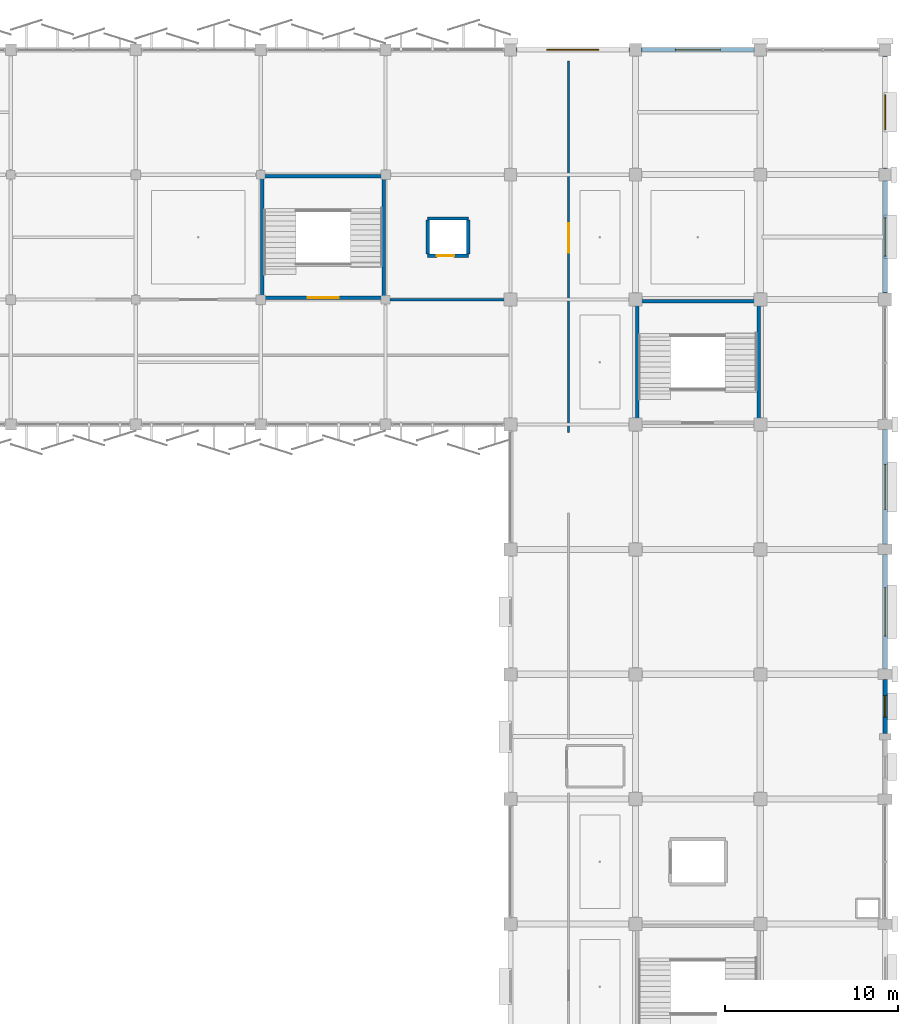
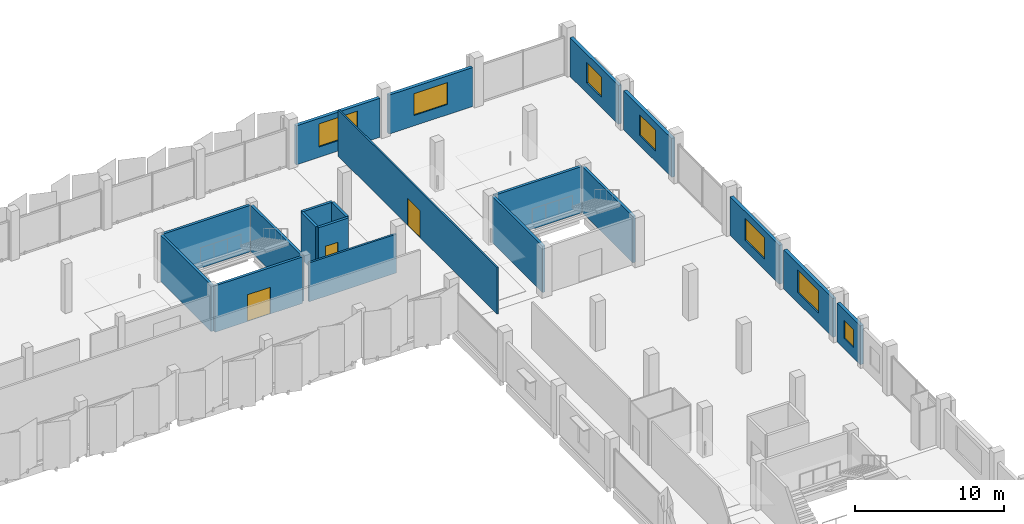
# One storey, part 87 of 108: 20 walls, 7 windows, 3 doors, 10 openings.
"""IFC4 building model written with IfcOpenShell, lengths in metres."""

from ifc_helpers import new_model, si_unit, direction, frame, frame_2d, origin, place, context, subcontext, project, spatial, rectangle, extrude, material, layer, layer_set, type_object, element, fill, save


model = new_model("IFC4")

# Units and contexts
model_context = context("Model", 3, precision=1e-05, world=origin(), true_north=direction((0.0, 1.0)))
body_context = subcontext(model_context, "Body", "Model", "MODEL_VIEW")
ifc_project = project(units=[si_unit("LENGTHUNIT", "METRE"), si_unit("AREAUNIT", "SQUARE_METRE"), si_unit("VOLUMEUNIT", "CUBIC_METRE"), si_unit("PLANEANGLEUNIT", "RADIAN"), si_unit("MASSUNIT", "GRAM", prefix="KILO")], contexts=[model_context])

# Site, building, storey
site_placement = place(None, origin())
site = spatial("IfcSite", under=ifc_project, at=site_placement, CompositionType="ELEMENT")
building_placement = place(site_placement, origin())
building = spatial("IfcBuilding", under=site, at=building_placement, Name="Kangsadwip Square Police Headquarters", CompositionType="ELEMENT")
storey_placement = place(building_placement, frame((0.0, 0.0, 9.449951171875)))
storey = spatial("IfcBuildingStorey", under=building, at=storey_placement, Name="L02", CompositionType="ELEMENT", Elevation=9.449951171875)

# Wall, opening, door
ifc_material_1 = material(Name="Fire-rated double gypsum board acoustic stud partition", Category="masonry")
ifc_layer_1 = layer(ifc_material_1, 0.1201171875)
ifc_layer_set_1 = layer_set([ifc_layer_1], Name="Fire-rated double gypsum board acoustic stud partition")
wall_type_1 = type_object("IfcWallType", Name="AcousticPartition120", PredefinedType="PARTITIONING", material=ifc_layer_set_1)
wall_1_placement = place(storey_placement, frame((147.35009765625, 93.14990234375, 0.0), z_axis=(0.0, 0.0, 1.0), x_axis=(0.0, 1.0, 0.0)))
wall_1 = element("IfcWall", 1, at=wall_1_placement, inside=storey, type_object=wall_type_1, Name="Interior Wall WI-L02-0778", PredefinedType="PARTITIONING", context=body_context, shape_type="SweptSolid", body=[
    extrude(rectangle(XDim=21.400146484375, YDim=0.1201171875, at=frame_2d((10.7001953125, 0.0))), origin(), (0.0, 0.0, 1.0), 3.81005859375),
])
opening_1_placement = place(wall_1_placement, frame((10.35498046875, 0.0, 0.0)))
opening_1 = element("IfcOpeningElement", 2, at=opening_1_placement, cuts=wall_1, Name="Opening ID-17", PredefinedType="OPENING", context=body_context, shape_type="SweptSolid", body=[
    extrude(rectangle(XDim=1.699951171875, YDim=2.199951171875, at=frame_2d((0.85009765625, 1.10009765625))), frame((0.0, 0.070068359375, 0.0), z_axis=(0.0, -1.0, 0.0), x_axis=(1.0, 0.0, 0.0)), (0.0, 0.0, 1.0), 0.14013671875),
])
ifc_material_2 = material(Name="Insulated galvanized steel fire-rated door assembly", Category="steel")
door_type_1 = type_object("IfcDoorType", Name="LabDoubleDoor1700x2200", OperationType="DOUBLE_DOOR_SINGLE_SWING", PredefinedType="DOOR", material=ifc_material_2)
door_1_placement = place(opening_1_placement, origin())
door_1 = element("IfcDoor", 3, at=door_1_placement, inside=storey, type_object=door_type_1, Name="Interior Door ID-L02-0190", OperationType="DOUBLE_DOOR_SINGLE_SWING", OverallHeight=2.199951171875, OverallWidth=1.699951171875, PredefinedType="DOOR", context=body_context, shape_type="SweptSolid", body=[
    extrude(rectangle(XDim=1.699951171875, YDim=2.199951171875, at=frame_2d((0.85009765625, 1.10009765625))), frame((0.0, 0.02490234375, 0.0), z_axis=(0.0, -1.0, 0.0), x_axis=(1.0, 0.0, 0.0)), (0.0, 0.0, 1.0), 0.050048828125),
])
fill(opening_1, door_1)

# Wall
ifc_material_3 = material(Name="Autoclaved aerated concrete blockwork masonry", Category="masonry")
ifc_layer_2 = layer(ifc_material_3, 0.14990234375)
ifc_layer_set_2 = layer_set([ifc_layer_2], Name="Autoclaved aerated concrete blockwork masonry")
wall_type_2 = type_object("IfcWallType", Name="BlockPartition150", PredefinedType="PARTITIONING", material=ifc_layer_set_2)
wall_2_placement = place(storey_placement, frame((137.050048828125, 100.800048828125, 0.0), z_axis=(0.0, 0.0, 1.0), x_axis=(1.0, 0.0, 0.0)))
element("IfcWall", 4, at=wall_2_placement, inside=storey, type_object=wall_type_2, Name="Interior Wall WI-L02-0776", PredefinedType="PARTITIONING", context=body_context, shape_type="SweptSolid", body=[
    extrude(rectangle(XDim=6.800048828125, YDim=0.14990234375, at=frame_2d((3.39990234375, 0.0))), origin(), (0.0, 0.0, 1.0), 3.199951171875),
])

# Wall, opening, window
ifc_material_4 = material(Name="Glazed architectural terracotta masonry rainscreen", Category="masonry")
ifc_layer_3 = layer(ifc_material_4, 0.25)
ifc_layer_set_3 = layer_set([ifc_layer_3], Name="Glazed architectural terracotta masonry rainscreen")
wall_type_3 = type_object("IfcWallType", Name="ChicagoTerracottaWall250", PredefinedType="SOLIDWALL", material=ifc_layer_set_3)
wall_3_placement = place(storey_placement, frame((144.344970703125, 115.199951171875, 0.0), z_axis=(0.0, 0.0, 1.0), x_axis=(1.0, 0.0, 0.0)))
wall_3 = element("IfcWall", 5, at=wall_3_placement, inside=storey, type_object=wall_type_3, Name="Exterior Wall WE-L02-314", PredefinedType="SOLIDWALL", context=body_context, shape_type="SweptSolid", body=[
    extrude(rectangle(XDim=6.510009765625, YDim=0.25, at=frame_2d((3.2548828125, 0.0))), origin(), (0.0, 0.0, 1.0), 3.195068359375),
])
opening_2_placement = place(wall_3_placement, frame((1.7548828125, 0.0, 0.85009765625)))
opening_2 = element("IfcOpeningElement", 6, at=opening_2_placement, cuts=wall_3, Name="Opening WN-04", PredefinedType="OPENING", context=body_context, shape_type="SweptSolid", body=[
    extrude(rectangle(XDim=3.0, YDim=1.89990234375, at=frame_2d((1.5, 0.949951171875))), frame((0.0, 0.135009765625, 0.0), z_axis=(0.0, -1.0, 0.0), x_axis=(1.0, 0.0, 0.0)), (0.0, 0.0, 1.0), 0.27001953125),
])
ifc_material_5 = material(Name="Double-glazed solar-control low-E safety glass", Category="glass")
window_type_1 = type_object("IfcWindowType", Name="ChicagoTripartiteWin3000x1900", PartitioningType="TRIPLE_PANEL_HORIZONTAL", PredefinedType="WINDOW", material=ifc_material_5)
window_1_placement = place(opening_2_placement, origin())
window_1 = element("IfcWindow", 7, at=window_1_placement, inside=storey, type_object=window_type_1, Name="Window WN-L02-0167", OverallHeight=1.89990234375, OverallWidth=3.0, PartitioningType="SINGLE_PANEL", PredefinedType="WINDOW", context=body_context, shape_type="SweptSolid", body=[
    extrude(rectangle(XDim=3.0, YDim=1.89990234375, at=frame_2d((1.5, 0.949951171875))), frame((0.0, 0.030029296875, 0.0), z_axis=(0.0, -1.0, 0.0), x_axis=(1.0, 0.0, 0.0)), (0.0, 0.0, 1.0), 0.06005859375),
])
fill(opening_2, window_1)

wall_4_placement = place(storey_placement, frame((151.544921875, 115.199951171875, 0.0), z_axis=(0.0, 0.0, 1.0), x_axis=(1.0, 0.0, 0.0)))
wall_4 = element("IfcWall", 8, at=wall_4_placement, inside=storey, type_object=wall_type_3, Name="Exterior Wall WE-L02-315", PredefinedType="SOLIDWALL", context=body_context, shape_type="SweptSolid", body=[
    extrude(rectangle(XDim=6.510009765625, YDim=0.25, at=frame_2d((3.2548828125, 0.0))), origin(), (0.0, 0.0, 1.0), 3.195068359375),
])
opening_3_placement = place(wall_4_placement, frame((1.955078125, 0.0, 0.85009765625)))
opening_3 = element("IfcOpeningElement", 9, at=opening_3_placement, cuts=wall_4, Name="Opening WN-06", PredefinedType="OPENING", context=body_context, shape_type="SweptSolid", body=[
    extrude(rectangle(XDim=2.60009765625, YDim=1.800048828125, at=frame_2d((1.300048828125, 0.89990234375))), frame((0.0, 0.135009765625, 0.0), z_axis=(0.0, -1.0, 0.0), x_axis=(1.0, 0.0, 0.0)), (0.0, 0.0, 1.0), 0.27001953125),
])
ifc_material_6 = material(Name="Double-glazed solar-control low-E safety glass", Category="glass")
window_type_2 = type_object("IfcWindowType", Name="ChicagoDoubleMullWin2600x1800", PartitioningType="DOUBLE_PANEL_VERTICAL", PredefinedType="WINDOW", material=ifc_material_6)
window_2_placement = place(opening_3_placement, origin())
window_2 = element("IfcWindow", 10, at=window_2_placement, inside=storey, type_object=window_type_2, Name="Window WN-L02-0168", OverallHeight=1.800048828125, OverallWidth=2.60009765625, PartitioningType="SINGLE_PANEL", PredefinedType="WINDOW", context=body_context, shape_type="SweptSolid", body=[
    extrude(rectangle(XDim=2.60009765625, YDim=1.800048828125, at=frame_2d((1.300048828125, 0.89990234375))), frame((0.0, 0.030029296875, 0.0), z_axis=(0.0, -1.0, 0.0), x_axis=(1.0, 0.0, 0.0)), (0.0, 0.0, 1.0), 0.06005859375),
])
fill(opening_3, window_2)

wall_5_placement = place(storey_placement, frame((165.60009765625, 75.794921875, 0.0), z_axis=(0.0, 0.0, 1.0), x_axis=(0.0, 1.0, 0.0)))
wall_5 = element("IfcWall", 11, at=wall_5_placement, inside=storey, type_object=wall_type_3, Name="Exterior Wall WE-L02-357", PredefinedType="SOLIDWALL", context=body_context, shape_type="SweptSolid", body=[
    extrude(rectangle(XDim=3.110107421875, YDim=0.25, at=frame_2d((1.55517578125, 0.0))), origin(), (0.0, 0.0, 1.0), 3.195068359375),
])
opening_4_placement = place(wall_5_placement, frame((0.929931640625, 0.0, 0.85009765625)))
opening_4 = element("IfcOpeningElement", 12, at=opening_4_placement, cuts=wall_5, Name="Opening WN-14", PredefinedType="OPENING", context=body_context, shape_type="SweptSolid", body=[
    extrude(rectangle(XDim=1.25, YDim=1.5, at=frame_2d((0.625, 0.75))), frame((0.0, 0.135009765625, 0.0), z_axis=(0.0, -1.0, 0.0), x_axis=(1.0, 0.0, 0.0)), (0.0, 0.0, 1.0), 0.27001953125),
])
ifc_material_7 = material(Name="Double-glazed solar-control low-E safety glass", Category="glass")
window_type_3 = type_object("IfcWindowType", Name="OfficeCasementWin1250x1500", PartitioningType="SINGLE_PANEL", PredefinedType="WINDOW", material=ifc_material_7)
window_3_placement = place(opening_4_placement, origin())
window_3 = element("IfcWindow", 13, at=window_3_placement, inside=storey, type_object=window_type_3, Name="Window WN-L02-0210", OverallHeight=1.5, OverallWidth=1.25, PartitioningType="SINGLE_PANEL", PredefinedType="WINDOW", context=body_context, shape_type="SweptSolid", body=[
    extrude(rectangle(XDim=1.25, YDim=1.5, at=frame_2d((0.625, 0.75))), frame((0.0, 0.030029296875, 0.0), z_axis=(0.0, -1.0, 0.0), x_axis=(1.0, 0.0, 0.0)), (0.0, 0.0, 1.0), 0.06005859375),
])
fill(opening_4, window_3)

wall_6_placement = place(storey_placement, frame((165.60009765625, 79.4951171875, 0.0), z_axis=(0.0, 0.0, 1.0), x_axis=(0.0, 1.0, 0.0)))
wall_6 = element("IfcWall", 14, at=wall_6_placement, inside=storey, type_object=wall_type_3, Name="Exterior Wall WE-L02-358", PredefinedType="SOLIDWALL", context=body_context, shape_type="SweptSolid", body=[
    extrude(rectangle(XDim=6.60986328125, YDim=0.25, at=frame_2d((3.304931640625, 0.0))), origin(), (0.0, 0.0, 1.0), 3.195068359375),
])
opening_5_placement = place(wall_6_placement, frame((1.905029296875, 0.0, 0.85009765625)))
opening_5 = element("IfcOpeningElement", 15, at=opening_5_placement, cuts=wall_6, Name="Opening WN-05", PredefinedType="OPENING", context=body_context, shape_type="SweptSolid", body=[
    extrude(rectangle(XDim=2.800048828125, YDim=1.85009765625, at=frame_2d((1.39990234375, 0.925048828125))), frame((0.0, 0.135009765625, 0.0), z_axis=(0.0, -1.0, 0.0), x_axis=(1.0, 0.0, 0.0)), (0.0, 0.0, 1.0), 0.27001953125),
])
ifc_material_8 = material(Name="Double-glazed solar-control low-E safety glass", Category="glass")
window_type_4 = type_object("IfcWindowType", Name="ChicagoDoubleMullWin2800x1850", PartitioningType="DOUBLE_PANEL_VERTICAL", PredefinedType="WINDOW", material=ifc_material_8)
window_4_placement = place(opening_5_placement, origin())
window_4 = element("IfcWindow", 16, at=window_4_placement, inside=storey, type_object=window_type_4, Name="Window WN-L02-0211", OverallHeight=1.85009765625, OverallWidth=2.800048828125, PartitioningType="SINGLE_PANEL", PredefinedType="WINDOW", context=body_context, shape_type="SweptSolid", body=[
    extrude(rectangle(XDim=2.800048828125, YDim=1.85009765625, at=frame_2d((1.39990234375, 0.925048828125))), frame((0.0, 0.030029296875, 0.0), z_axis=(0.0, -1.0, 0.0), x_axis=(1.0, 0.0, 0.0)), (0.0, 0.0, 1.0), 0.06005859375),
])
fill(opening_5, window_4)

wall_7_placement = place(storey_placement, frame((165.60009765625, 86.695068359375, 0.0), z_axis=(0.0, 0.0, 1.0), x_axis=(0.0, 1.0, 0.0)))
wall_7 = element("IfcWall", 17, at=wall_7_placement, inside=storey, type_object=wall_type_3, Name="Exterior Wall WE-L02-359", PredefinedType="SOLIDWALL", context=body_context, shape_type="SweptSolid", body=[
    extrude(rectangle(XDim=6.60986328125, YDim=0.25, at=frame_2d((3.304931640625, 0.0))), origin(), (0.0, 0.0, 1.0), 3.195068359375),
])
opening_6_placement = place(wall_7_placement, frame((2.0048828125, 0.0, 0.85009765625)))
opening_6 = element("IfcOpeningElement", 18, at=opening_6_placement, cuts=wall_7, Name="Opening WN-06", PredefinedType="OPENING", context=body_context, shape_type="SweptSolid", body=[
    extrude(rectangle(XDim=2.60009765625, YDim=1.800048828125, at=frame_2d((1.300048828125, 0.89990234375))), frame((0.0, 0.135009765625, 0.0), z_axis=(0.0, -1.0, 0.0), x_axis=(1.0, 0.0, 0.0)), (0.0, 0.0, 1.0), 0.27001953125),
])
window_5_placement = place(opening_6_placement, origin())
window_5 = element("IfcWindow", 19, at=window_5_placement, inside=storey, type_object=window_type_2, Name="Window WN-L02-0212", OverallHeight=1.800048828125, OverallWidth=2.60009765625, PartitioningType="SINGLE_PANEL", PredefinedType="WINDOW", context=body_context, shape_type="SweptSolid", body=[
    extrude(rectangle(XDim=2.60009765625, YDim=1.800048828125, at=frame_2d((1.300048828125, 0.89990234375))), frame((0.0, 0.030029296875, 0.0), z_axis=(0.0, -1.0, 0.0), x_axis=(1.0, 0.0, 0.0)), (0.0, 0.0, 1.0), 0.06005859375),
])
fill(opening_6, window_5)

wall_8_placement = place(storey_placement, frame((165.60009765625, 101.169921875, 0.0), z_axis=(0.0, 0.0, 1.0), x_axis=(0.0, 1.0, 0.0)))
wall_8 = element("IfcWall", 20, at=wall_8_placement, inside=storey, type_object=wall_type_3, Name="Exterior Wall WE-L02-360", PredefinedType="SOLIDWALL", context=body_context, shape_type="SweptSolid", body=[
    extrude(rectangle(XDim=6.485107421875, YDim=0.25, at=frame_2d((3.24267578125, 0.0))), origin(), (0.0, 0.0, 1.0), 3.195068359375),
])
opening_7_placement = place(wall_8_placement, frame((2.142578125, 0.0, 0.85009765625)))
opening_7 = element("IfcOpeningElement", 21, at=opening_7_placement, cuts=wall_8, Name="Opening WN-08", PredefinedType="OPENING", context=body_context, shape_type="SweptSolid", body=[
    extrude(rectangle(XDim=2.199951171875, YDim=1.699951171875, at=frame_2d((1.10009765625, 0.85009765625))), frame((0.0, 0.135009765625, 0.0), z_axis=(0.0, -1.0, 0.0), x_axis=(1.0, 0.0, 0.0)), (0.0, 0.0, 1.0), 0.27001953125),
])
ifc_material_9 = material(Name="Double-glazed solar-control low-E safety glass", Category="glass")
window_type_5 = type_object("IfcWindowType", Name="ChicagoDoubleMullWin2200x1700", PartitioningType="DOUBLE_PANEL_VERTICAL", PredefinedType="WINDOW", material=ifc_material_9)
window_6_placement = place(opening_7_placement, origin())
window_6 = element("IfcWindow", 22, at=window_6_placement, inside=storey, type_object=window_type_5, Name="Window WN-L02-0213", OverallHeight=1.699951171875, OverallWidth=2.199951171875, PartitioningType="SINGLE_PANEL", PredefinedType="WINDOW", context=body_context, shape_type="SweptSolid", body=[
    extrude(rectangle(XDim=2.199951171875, YDim=1.699951171875, at=frame_2d((1.10009765625, 0.85009765625))), frame((0.0, 0.030029296875, 0.0), z_axis=(0.0, -1.0, 0.0), x_axis=(1.0, 0.0, 0.0)), (0.0, 0.0, 1.0), 0.06005859375),
])
fill(opening_7, window_6)

wall_9_placement = place(storey_placement, frame((165.60009765625, 108.344970703125, 0.0), z_axis=(0.0, 0.0, 1.0), x_axis=(0.0, 1.0, 0.0)))
wall_9 = element("IfcWall", 23, at=wall_9_placement, inside=storey, type_object=wall_type_3, Name="Exterior Wall WE-L02-361", PredefinedType="SOLIDWALL", context=body_context, shape_type="SweptSolid", body=[
    extrude(rectangle(XDim=6.510009765625, YDim=0.25, at=frame_2d((3.2548828125, 0.0))), origin(), (0.0, 0.0, 1.0), 3.195068359375),
])
opening_8_placement = place(wall_9_placement, frame((2.2548828125, 0.0, 0.85009765625)))
opening_8 = element("IfcOpeningElement", 24, at=opening_8_placement, cuts=wall_9, Name="Opening WN-09", PredefinedType="OPENING", context=body_context, shape_type="SweptSolid", body=[
    extrude(rectangle(XDim=2.0, YDim=1.64990234375, at=frame_2d((1.0, 0.824951171875))), frame((0.0, 0.135009765625, 0.0), z_axis=(0.0, -1.0, 0.0), x_axis=(1.0, 0.0, 0.0)), (0.0, 0.0, 1.0), 0.27001953125),
])
ifc_material_10 = material(Name="Double-glazed solar-control low-E safety glass", Category="glass")
window_type_6 = type_object("IfcWindowType", Name="ChicagoDoubleMullWin2000x1650", PartitioningType="DOUBLE_PANEL_VERTICAL", PredefinedType="WINDOW", material=ifc_material_10)
window_7_placement = place(opening_8_placement, origin())
window_7 = element("IfcWindow", 25, at=window_7_placement, inside=storey, type_object=window_type_6, Name="Window WN-L02-0214", OverallHeight=1.64990234375, OverallWidth=2.0, PartitioningType="SINGLE_PANEL", PredefinedType="WINDOW", context=body_context, shape_type="SweptSolid", body=[
    extrude(rectangle(XDim=2.0, YDim=1.64990234375, at=frame_2d((1.0, 0.824951171875))), frame((0.0, 0.030029296875, 0.0), z_axis=(0.0, -1.0, 0.0), x_axis=(1.0, 0.0, 0.0)), (0.0, 0.0, 1.0), 0.06005859375),
])
fill(opening_8, window_7)

# Walls
ifc_material_11 = material(Name="Concrete M40 (40 MPa)", Category="concrete")
ifc_layer_4 = layer(ifc_material_11, 0.199951171875)
ifc_layer_set_4 = layer_set([ifc_layer_4], Name="Concrete M40 (40 MPa)")
wall_type_4 = type_object("IfcWallType", Name="CoreShearWall200", PredefinedType="SHEAR", material=ifc_layer_set_4)
for number, where, z_axis, x_axis, name in (
    (26, (151.39990234375, 100.699951171875, 0.0), (0.0, 0.0, 1.0), (1.0, 0.0, 0.0), "Interior Wall WI-L02-0138"),
    (27, (151.300048828125, 93.800048828125, 0.0), (0.0, 0.0, 1.0), (0.0, 1.0, 0.0), "Interior Wall WI-L02-0139"),
    (28, (158.300048828125, 93.800048828125, 0.0), (0.0, 0.0, 1.0), (0.0, 1.0, 0.0), "Interior Wall WI-L02-0140"),
):
    element("IfcWall", number, at=place(storey_placement, frame(where, z_axis=z_axis, x_axis=x_axis)), inside=storey, type_object=wall_type_4, Name=name, PredefinedType="SHEAR", context=body_context, shape_type="SweptSolid", body=[
        extrude(rectangle(XDim=6.800048828125, YDim=0.199951171875, at=frame_2d((3.39990234375, 0.0))), origin(), (0.0, 0.0, 1.0), 3.81005859375),
    ])

# Wall, opening, door
wall_10_placement = place(storey_placement, frame((129.800048828125, 100.89990234375, 0.0), z_axis=(0.0, 0.0, 1.0), x_axis=(1.0, 0.0, 0.0)))
wall_10 = element("IfcWall", 29, at=wall_10_placement, inside=storey, type_object=wall_type_4, Name="Interior Wall WI-L02-0165", PredefinedType="SHEAR", context=body_context, shape_type="SweptSolid", body=[
    extrude(rectangle(XDim=6.800048828125, YDim=0.199951171875, at=frame_2d((3.39990234375, 0.0))), origin(), (0.0, 0.0, 1.0), 3.81005859375),
])
opening_9_placement = place(wall_10_placement, frame((2.5, 0.0, 0.0)))
opening_9 = element("IfcOpeningElement", 30, at=opening_9_placement, cuts=wall_10, Name="Opening FD-18", PredefinedType="OPENING", context=body_context, shape_type="SweptSolid", body=[
    extrude(rectangle(XDim=1.800048828125, YDim=2.199951171875, at=frame_2d((0.89990234375, 1.10009765625))), frame((0.0, 0.10986328125, 0.0), z_axis=(0.0, -1.0, 0.0), x_axis=(1.0, 0.0, 0.0)), (0.0, 0.0, 1.0), 0.219970703125),
])
ifc_material_12 = material(Name="Insulated galvanized steel fire-rated door assembly", Category="steel")
door_type_2 = type_object("IfcDoorType", Name="StairFireDoor1800x2200", OperationType="DOUBLE_DOOR_SINGLE_SWING", PredefinedType="DOOR", material=ifc_material_12)
door_2_placement = place(opening_9_placement, origin())
door_2 = element("IfcDoor", 31, at=door_2_placement, inside=storey, type_object=door_type_2, Name="Interior Door ID-L02-0037", OperationType="DOUBLE_DOOR_SINGLE_SWING", OverallHeight=2.199951171875, OverallWidth=1.800048828125, PredefinedType="DOOR", context=body_context, shape_type="SweptSolid", body=[
    extrude(rectangle(XDim=1.800048828125, YDim=2.199951171875, at=frame_2d((0.89990234375, 1.10009765625))), frame((0.0, 0.02490234375, 0.0), z_axis=(0.0, -1.0, 0.0), x_axis=(1.0, 0.0, 0.0)), (0.0, 0.0, 1.0), 0.050048828125),
])
fill(opening_9, door_2)

# Walls
for number, where, z_axis, x_axis, name in (
    (32, (129.800048828125, 107.89990234375, 0.0), (0.0, 0.0, 1.0), (1.0, 0.0, 0.0), "Interior Wall WI-L02-0166"),
    (33, (129.699951171875, 101.0, 0.0), (0.0, 0.0, 1.0), (0.0, 1.0, 0.0), "Interior Wall WI-L02-0167"),
    (34, (136.699951171875, 101.0, 0.0), (0.0, 0.0, 1.0), (0.0, 1.0, 0.0), "Interior Wall WI-L02-0168"),
):
    element("IfcWall", number, at=place(storey_placement, frame(where, z_axis=z_axis, x_axis=x_axis)), inside=storey, type_object=wall_type_4, Name=name, PredefinedType="SHEAR", context=body_context, shape_type="SweptSolid", body=[
        extrude(rectangle(XDim=6.800048828125, YDim=0.199951171875, at=frame_2d((3.39990234375, 0.0))), origin(), (0.0, 0.0, 1.0), 3.81005859375),
    ])

# Wall, opening, door
wall_11_placement = place(storey_placement, frame((139.22509765625, 103.324951171875, 0.0), z_axis=(0.0, 0.0, 1.0), x_axis=(1.0, 0.0, 0.0)))
wall_11 = element("IfcWall", 35, at=wall_11_placement, inside=storey, type_object=wall_type_4, Name="Interior Wall WI-L02-0471", PredefinedType="SHEAR", context=body_context, shape_type="SweptSolid", body=[
    extrude(rectangle(XDim=2.349853515625, YDim=0.199951171875, at=frame_2d((1.1748046875, 0.0))), origin(), (0.0, 0.0, 1.0), 3.81005859375),
])
opening_10_placement = place(wall_11_placement, frame((0.532958984375, 0.0, 0.0)))
opening_10 = element("IfcOpeningElement", 36, at=opening_10_placement, cuts=wall_11, Name="Opening LD-055", PredefinedType="OPENING", context=body_context, shape_type="SweptSolid", body=[
    extrude(rectangle(XDim=1.0, YDim=2.10009765625, at=frame_2d((0.5, 1.050048828125))), frame((0.0, 0.10986328125, 0.0), z_axis=(0.0, -1.0, 0.0), x_axis=(1.0, 0.0, 0.0)), (0.0, 0.0, 1.0), 0.219970703125),
])
ifc_material_13 = material(Name="Brushed stainless steel automatic sliding lift landing door", Category="steel")
door_type_3 = type_object("IfcDoorType", Name="LiftLandingDoor1000x2100", OperationType="DOUBLE_DOOR_SLIDING", PredefinedType="DOOR", material=ifc_material_13)
door_3_placement = place(opening_10_placement, origin())
door_3 = element("IfcDoor", 37, at=door_3_placement, inside=storey, type_object=door_type_3, Name="Interior Door LD-055", OperationType="DOUBLE_DOOR_SLIDING", OverallHeight=2.10009765625, OverallWidth=1.0, PredefinedType="DOOR", context=body_context, shape_type="SweptSolid", body=[
    extrude(rectangle(XDim=1.0, YDim=2.10009765625, at=frame_2d((0.5, 1.050048828125))), frame((0.0, 0.02490234375, 0.0), z_axis=(0.0, -1.0, 0.0), x_axis=(1.0, 0.0, 0.0)), (0.0, 0.0, 1.0), 0.050048828125),
])
fill(opening_10, door_3)

# Walls
wall_12_placement = place(storey_placement, frame((139.22509765625, 105.47509765625, 0.0), z_axis=(0.0, 0.0, 1.0), x_axis=(1.0, 0.0, 0.0)))
element("IfcWall", 38, at=wall_12_placement, inside=storey, type_object=wall_type_4, Name="Interior Wall WI-L02-0472", PredefinedType="SHEAR", context=body_context, shape_type="SweptSolid", body=[
    extrude(rectangle(XDim=2.349853515625, YDim=0.199951171875, at=frame_2d((1.1748046875, 0.0))), origin(), (0.0, 0.0, 1.0), 3.81005859375),
])
for number, where, z_axis, x_axis, name in (
    (39, (139.22509765625, 103.425048828125, 0.0), (0.0, 0.0, 1.0), (0.0, 1.0, 0.0), "Interior Wall WI-L02-0473"),
    (40, (141.574951171875, 103.425048828125, 0.0), (0.0, 0.0, 1.0), (0.0, 1.0, 0.0), "Interior Wall WI-L02-0474"),
):
    element("IfcWall", number, at=place(storey_placement, frame(where, z_axis=z_axis, x_axis=x_axis)), inside=storey, type_object=wall_type_4, Name=name, PredefinedType="SHEAR", context=body_context, shape_type="SweptSolid", body=[
        extrude(rectangle(XDim=1.949951171875, YDim=0.199951171875, at=frame_2d((0.97509765625, 0.0))), origin(), (0.0, 0.0, 1.0), 3.81005859375),
    ])

save(model, "model.ifc")
